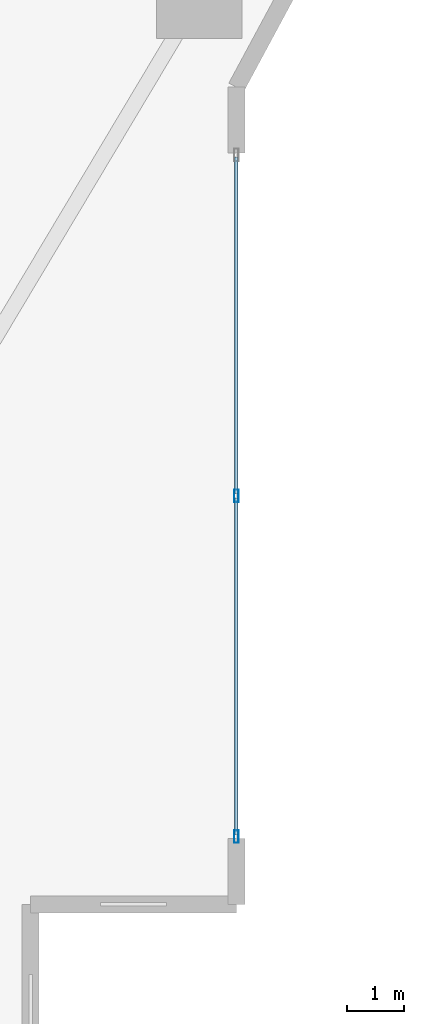
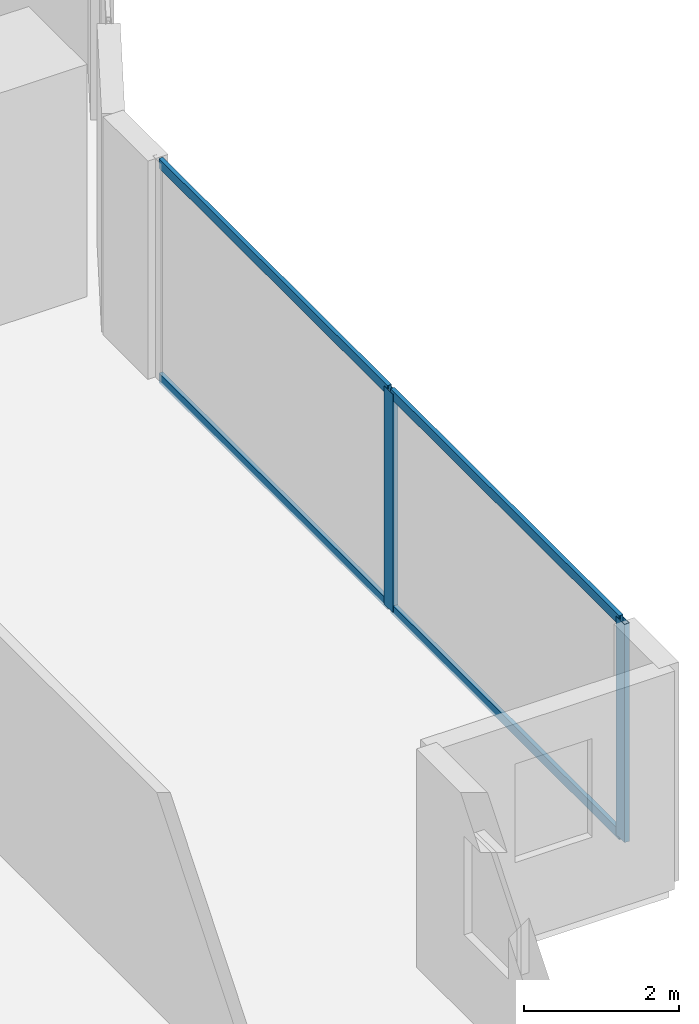
# One storey, part 10 of 28: 6 members, 1 element without a shape of its own.
"""IFC4 building model written with IfcOpenShell, lengths in metres."""

import ifcopenshell
import ifcopenshell.guid

model = None  # the IFC model being written
_history = None  # IfcOwnerHistory: only IFC2X3 demands one
_inside = {}  # id of a spatial element -> (the spatial element, [elements in it])
_under = {}  # id of a project, library or spatial element -> (it, [spatial elements below it])
_declared = {}  # id of a project -> (the project, [libraries it declares])
_typed = {}  # id of a type object -> (the type object, [elements of that type])
_made_of = {}  # id of a material, layer set ... -> (it, [elements and type objects made of it])


def new_model(schema):
    """Start an empty IFC model of exactly this schema.

    Asked for "IFC4X3", IfcOpenShell would pick the latest addendum, in which some entities
    have other attributes; the version numbers below select the first issue.
    IFC2X3 requires an IfcOwnerHistory on every rooted entity: one is made here for all.
    """
    global model, _history
    if schema == "IFC4X3":
        model = ifcopenshell.file(schema_version=(4, 3, 0, 0))
    else:
        model = ifcopenshell.file(schema=schema)
    _inside.clear()
    _under.clear()
    _declared.clear()
    _typed.clear()
    _made_of.clear()
    _history = None
    if model.schema == "IFC2X3":
        org = make("IfcOrganization", Name="unknown")
        user = make(
            "IfcPersonAndOrganization",
            ThePerson=make("IfcPerson", FamilyName="unknown"),
            TheOrganization=org,
        )
        app = make(
            "IfcApplication",
            ApplicationDeveloper=org,
            Version="unknown",
            ApplicationFullName="unknown",
            ApplicationIdentifier="unknown",
        )
        _history = make(
            "IfcOwnerHistory",
            OwningUser=user,
            OwningApplication=app,
            ChangeAction="ADDED",
            CreationDate=0,
        )
    return model


def make(cls, **values):
    """One entity of the class cls with the attributes given. An attribute that is None is left unset."""
    return model.create_entity(
        cls, **{name: value for name, value in values.items() if value is not None}
    )


def rooted(cls, **values):
    """An entity with a GlobalId (a new one), such as an element, a storey or a relation."""
    return make(cls, GlobalId=ifcopenshell.guid.new(), OwnerHistory=_history, **values)


def si_unit(unit_type, name, prefix=None):
    """IfcSIUnit, for example si_unit("LENGTHUNIT", "METRE", prefix="MILLI")."""
    return make("IfcSIUnit", UnitType=unit_type, Prefix=prefix, Name=name)


def assignment(units):
    """IfcUnitAssignment: the units of a project."""
    return None if units is None else make("IfcUnitAssignment", Units=units)


def point(xyz):
    """IfcCartesianPoint."""
    return None if xyz is None else make("IfcCartesianPoint", Coordinates=xyz)


def direction(xyz):
    """IfcDirection."""
    return None if xyz is None else make("IfcDirection", DirectionRatios=xyz)


def frame(location, z_axis=None, x_axis=None):
    """IfcAxis2Placement3D, a coordinate frame: its origin and axes. An axis left out is left unset."""
    return make(
        "IfcAxis2Placement3D",
        Location=point(location),
        Axis=direction(z_axis),
        RefDirection=direction(x_axis),
    )


def frame_2d(location, x_axis=None):
    """IfcAxis2Placement2D, a coordinate frame in the plane: its origin and x axis."""
    return make(
        "IfcAxis2Placement2D", Location=point(location), RefDirection=direction(x_axis)
    )


def origin():
    """The frame at (0, 0, 0) with its axes left unset."""
    return frame((0.0, 0.0, 0.0))


def origin_2d():
    """The frame at (0, 0) in the plane with its x axis left unset."""
    return frame_2d((0.0, 0.0))


def place(relative_to, where):
    """IfcLocalPlacement: puts the frame where relative to a parent placement (None: the world)."""
    return make(
        "IfcLocalPlacement", PlacementRelTo=relative_to, RelativePlacement=where
    )


def context(
    kind, dimensions, precision=None, world=None, true_north=None, identifier=None
):
    """IfcGeometricRepresentationContext, for example the 3D "Model" context."""
    return make(
        "IfcGeometricRepresentationContext",
        ContextIdentifier=identifier,
        ContextType=kind,
        CoordinateSpaceDimension=dimensions,
        Precision=precision,
        WorldCoordinateSystem=world,
        TrueNorth=true_north,
    )


def subcontext(parent, identifier, kind, view, scale=None):
    """IfcGeometricRepresentationSubContext, for example "Body" below "Model"."""
    return make(
        "IfcGeometricRepresentationSubContext",
        ContextIdentifier=identifier,
        ContextType=kind,
        ParentContext=parent,
        TargetScale=scale,
        TargetView=view,
    )


def project(units=None, contexts=None):
    """IfcProject with its units and contexts."""
    return rooted(
        "IfcProject",
        Name="project",
        RepresentationContexts=contexts,
        UnitsInContext=assignment(units),
    )


def spatial(cls, under=None, at=None, **own):
    """A site, building, storey or space (cls), placed at a placement, below another one or the project."""
    s = rooted(cls, ObjectPlacement=at, **own)
    if under is not None:
        _under.setdefault(under.id(), (under, []))[1].append(s)
    return s


def profile(cls, at=None, kind="AREA", **sizes):
    """A parametric profile (cls). Its sizes go by their IFC names, for example OverallWidth=200.0."""
    return make(cls, ProfileType=kind, Position=at, **sizes)


def hollow_rectangle(**sizes):
    """IfcRectangleHollowProfileDef."""
    return profile("IfcRectangleHollowProfileDef", **sizes)


def extrude(swept, where, along, depth):
    """IfcExtrudedAreaSolid: the profile swept, set in the frame where, extruded along a direction by depth."""
    return make(
        "IfcExtrudedAreaSolid",
        SweptArea=swept,
        Position=where,
        ExtrudedDirection=direction(along),
        Depth=depth,
    )


def shape(context_of_items, identifier, shape_type, items):
    """IfcShapeRepresentation: the items that make up one representation, for example the "Body"."""
    return make(
        "IfcShapeRepresentation",
        ContextOfItems=context_of_items,
        RepresentationIdentifier=identifier,
        RepresentationType=shape_type,
        Items=items,
    )


def material(Name=None, Category=None):
    """IfcMaterial."""
    return make("IfcMaterial", Name=Name, Category=Category)


def layer(
    of_material, thickness, ventilated=None, Name=None, Category=None, Priority=None
):
    """IfcMaterialLayer: one layer of a wall or slab, of a material (None: an air gap)."""
    return make(
        "IfcMaterialLayer",
        Material=of_material,
        LayerThickness=thickness,
        IsVentilated=ventilated,
        Name=Name,
        Category=Category,
        Priority=Priority,
    )


def layer_set(layers, Name=None):
    """IfcMaterialLayerSet."""
    return make("IfcMaterialLayerSet", MaterialLayers=layers, LayerSetName=Name)


def material_profile(
    of_material, cross_section, Name=None, Category=None, Priority=None
):
    """IfcMaterialProfile: a cross section and its material."""
    return make(
        "IfcMaterialProfile",
        Name=Name,
        Material=of_material,
        Profile=cross_section,
        Priority=Priority,
        Category=Category,
    )


def profile_set(profiles, Name=None, composite=None):
    """IfcMaterialProfileSet."""
    return make(
        "IfcMaterialProfileSet",
        Name=Name,
        MaterialProfiles=profiles,
        CompositeProfile=composite,
    )


def made_of(thing, what):
    """Note that an element or type object is made of a material, layer set ...; save() writes the relation."""
    if what is not None:
        _made_of.setdefault(what.id(), (what, []))[1].append(thing)
    return thing


def type_object(cls, material=None, **own):
    """A type object (cls), such as IfcWallType, which elements share."""
    return made_of(rooted(cls, **own), material)


def element(
    cls,
    number,
    at=None,
    inside=None,
    cuts=None,
    type_object=None,
    material=None,
    context=None,
    identifier="Body",
    shape_type=None,
    held_by="IfcProductDefinitionShape",
    body=None,
    shapes=None,
    **own,
):
    """One element of the class cls, such as IfcWall. Its Tag is "e" and its number.

    at: its placement. inside: the storey or other place that contains it. cuts: it is an
    opening in that element (IfcRelVoidsElement). A single representation is given by context,
    identifier, shape_type and body (its items); several are given by shapes. held_by: the class
    of the entity that holds the representations. save() writes the other relations.
    """
    e = rooted(cls, Tag="e%d" % number, ObjectPlacement=at, **own)
    if body is not None:
        shapes = [shape(context, identifier, shape_type, body)]
    if shapes is not None:
        e.Representation = make(held_by, Representations=shapes)
    if inside is not None:
        _inside.setdefault(inside.id(), (inside, []))[1].append(e)
    if cuts is not None:
        rooted(
            "IfcRelVoidsElement", RelatingBuildingElement=cuts, RelatedOpeningElement=e
        )
    if type_object is not None:
        _typed.setdefault(type_object.id(), (type_object, []))[1].append(e)
    return made_of(e, material)


def aggregate(whole, parts):
    """IfcRelAggregates: a whole, such as a stair, and the parts it consists of."""
    return rooted("IfcRelAggregates", RelatingObject=whole, RelatedObjects=parts)


def save(model, path):
    """Write the relations noted so far, then the file.

    IfcRelAggregates (storeys below a building ...), IfcRelContainedInSpatialStructure (elements
    in a storey), IfcRelDefinesByType, IfcRelAssociatesMaterial and IfcRelDeclares: one each for
    every whole, place, type object, material and project.
    """
    for whole, parts in _under.values():
        aggregate(whole, parts)
    for where, things in _inside.values():
        rooted(
            "IfcRelContainedInSpatialStructure",
            RelatedElements=things,
            RelatingStructure=where,
        )
    for kind, things in _typed.values():
        rooted("IfcRelDefinesByType", RelatedObjects=things, RelatingType=kind)
    for what, things in _made_of.values():
        rooted("IfcRelAssociatesMaterial", RelatedObjects=things, RelatingMaterial=what)
    for by, libraries in _declared.values():
        rooted("IfcRelDeclares", RelatingContext=by, RelatedDefinitions=libraries)
    model.write(path)


model = new_model("IFC4")

# Units and contexts
model_context = context("Model", 3, precision=1e-05, world=origin(), true_north=direction((0.0, 1.0)))
body_context = subcontext(model_context, "Body", "Model", "MODEL_VIEW")
ifc_project = project(units=[si_unit("LENGTHUNIT", "METRE"), si_unit("AREAUNIT", "SQUARE_METRE"), si_unit("VOLUMEUNIT", "CUBIC_METRE"), si_unit("PLANEANGLEUNIT", "RADIAN"), si_unit("MASSUNIT", "GRAM", prefix="KILO")], contexts=[model_context])

# Site, building, storey
site_placement = place(None, origin())
site = spatial("IfcSite", under=ifc_project, at=site_placement, CompositionType="ELEMENT")
building_placement = place(site_placement, origin())
building = spatial("IfcBuilding", under=site, at=building_placement, Name="Zuhayl Quay Hotel", CompositionType="ELEMENT")
storey_placement = place(building_placement, frame((0.0, 0.0, 53.14990234375)))
storey = spatial("IfcBuildingStorey", under=building, at=storey_placement, Name="L12", CompositionType="ELEMENT", Elevation=53.14990234375)

# Curtain wall, members
ifc_material_1 = material(Name="Anodised Aluminium 6063-T6", Category="aluminium")
ifc_layer = layer(ifc_material_1, 0.18994140625, Name="Anodised Aluminium 6063-T6", Category="aluminium")
ifc_layer_set = layer_set([ifc_layer], Name="Anodised Aluminium 6063-T6")
curtain_wall_type = type_object("IfcCurtainWallType", Name="CW_SYS_Z1", PredefinedType="USERDEFINED", material=ifc_layer_set)
curtain_wall_placement = place(storey_placement, origin())
curtain_wall = element("IfcCurtainWall", 1, at=curtain_wall_placement, inside=storey, type_object=curtain_wall_type, Name="L12 Curtain Wall ENV_L12_E14_CW1", ObjectType="UNITISED CURTAIN WALL", PredefinedType="USERDEFINED")
ifc_material_2 = material(Name="Black-anodised aluminium 6063-T6", Category="aluminium")
ifc_material_profile_1 = material_profile(ifc_material_2, hollow_rectangle(XDim=0.074951171875, YDim=0.219970703125, WallThickness=0.00390625, at=origin_2d()), Name="ALU220X75")
ifc_profile_set_1 = profile_set([ifc_material_profile_1], Name="Black-anodised aluminium 6063-T6")
member_type_1 = type_object("IfcMemberType", Name="MB_CW_MUL_220", PredefinedType="MULLION", material=ifc_profile_set_1)
member_1_placement = place(storey_placement, frame((25.699951171875, -12.35009765625, 0.0), z_axis=(0.0, 0.0, 1.0), x_axis=(1.0, 0.0, 0.0)))
member_1 = element("IfcMember", 2, at=member_1_placement, type_object=member_type_1, Name="CW-Z1 mullion 2", PredefinedType="MULLION", context=body_context, shape_type="SweptSolid", body=[
    extrude(hollow_rectangle(XDim=0.074951171875, YDim=0.219970703125, WallThickness=0.00390625, at=origin_2d()), origin(), (0.0, 0.0, 1.0), 3.43017578125),
])
member_2_placement = place(storey_placement, frame((25.699951171875, -18.3125, 0.0), z_axis=(0.0, 0.0, 1.0), x_axis=(1.0, 0.0, 0.0)))
member_2 = element("IfcMember", 3, at=member_2_placement, type_object=member_type_1, Name="CW-Z1 mullion 3", PredefinedType="MULLION", context=body_context, shape_type="SweptSolid", body=[
    extrude(hollow_rectangle(XDim=0.074951171875, YDim=0.219970703125, WallThickness=0.00390625, at=origin_2d()), origin(), (0.0, 0.0, 1.0), 3.43017578125),
])
ifc_material_profile_2 = material_profile(ifc_material_2, hollow_rectangle(XDim=0.06005859375, YDim=0.14990234375, WallThickness=0.00341796875, at=origin_2d()), Name="ALU150X60")
ifc_profile_set_2 = profile_set([ifc_material_profile_2], Name="Black-anodised aluminium 6063-T6")
member_type_2 = type_object("IfcMemberType", Name="MB_CW_TRN_150", PredefinedType="USERDEFINED", material=ifc_profile_set_2)
member_3_placement = place(storey_placement, frame((25.699951171875, -6.425048828125, 0.030029296875), z_axis=(0.0, -1.0, 0.0), x_axis=(1.0, 0.0, 0.0)))
member_3 = element("IfcMember", 4, at=member_3_placement, type_object=member_type_2, Name="CW-Z1 transom 1.1", ObjectType="TRANSOM", PredefinedType="USERDEFINED", context=body_context, shape_type="SweptSolid", body=[
    extrude(hollow_rectangle(XDim=0.06005859375, YDim=0.14990234375, WallThickness=0.00341796875, at=origin_2d()), origin(), (0.0, 0.0, 1.0), 5.887451171875),
])
member_4_placement = place(storey_placement, frame((25.699951171875, -6.425048828125, 3.400146484375), z_axis=(0.0, -1.0, 0.0), x_axis=(1.0, 0.0, 0.0)))
member_4 = element("IfcMember", 5, at=member_4_placement, type_object=member_type_2, Name="CW-Z1 transom 1.2", ObjectType="TRANSOM", PredefinedType="USERDEFINED", context=body_context, shape_type="SweptSolid", body=[
    extrude(hollow_rectangle(XDim=0.06005859375, YDim=0.14990234375, WallThickness=0.00341796875, at=origin_2d()), origin(), (0.0, 0.0, 1.0), 5.887451171875),
])
member_5_placement = place(storey_placement, frame((25.699951171875, -12.387451171875, 0.030029296875), z_axis=(0.0, -1.0, 0.0), x_axis=(1.0, 0.0, 0.0)))
member_5 = element("IfcMember", 6, at=member_5_placement, type_object=member_type_2, Name="CW-Z1 transom 2.1", ObjectType="TRANSOM", PredefinedType="USERDEFINED", context=body_context, shape_type="SweptSolid", body=[
    extrude(hollow_rectangle(XDim=0.06005859375, YDim=0.14990234375, WallThickness=0.00341796875, at=origin_2d()), origin(), (0.0, 0.0, 1.0), 5.887451171875),
])
member_6_placement = place(storey_placement, frame((25.699951171875, -12.387451171875, 3.400146484375), z_axis=(0.0, -1.0, 0.0), x_axis=(1.0, 0.0, 0.0)))
member_6 = element("IfcMember", 7, at=member_6_placement, type_object=member_type_2, Name="CW-Z1 transom 2.2", ObjectType="TRANSOM", PredefinedType="USERDEFINED", context=body_context, shape_type="SweptSolid", body=[
    extrude(hollow_rectangle(XDim=0.06005859375, YDim=0.14990234375, WallThickness=0.00341796875, at=origin_2d()), origin(), (0.0, 0.0, 1.0), 5.887451171875),
])
aggregate(curtain_wall, [member_1, member_2, member_3, member_4, member_5, member_6])

save(model, "model.ifc")
